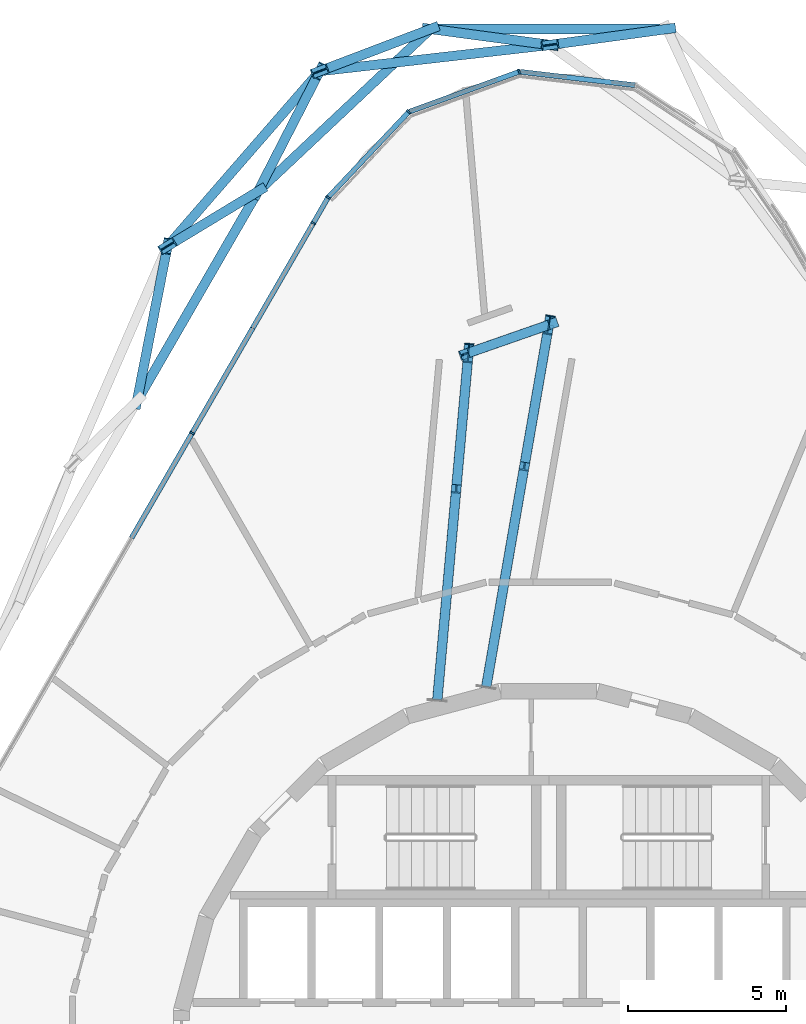
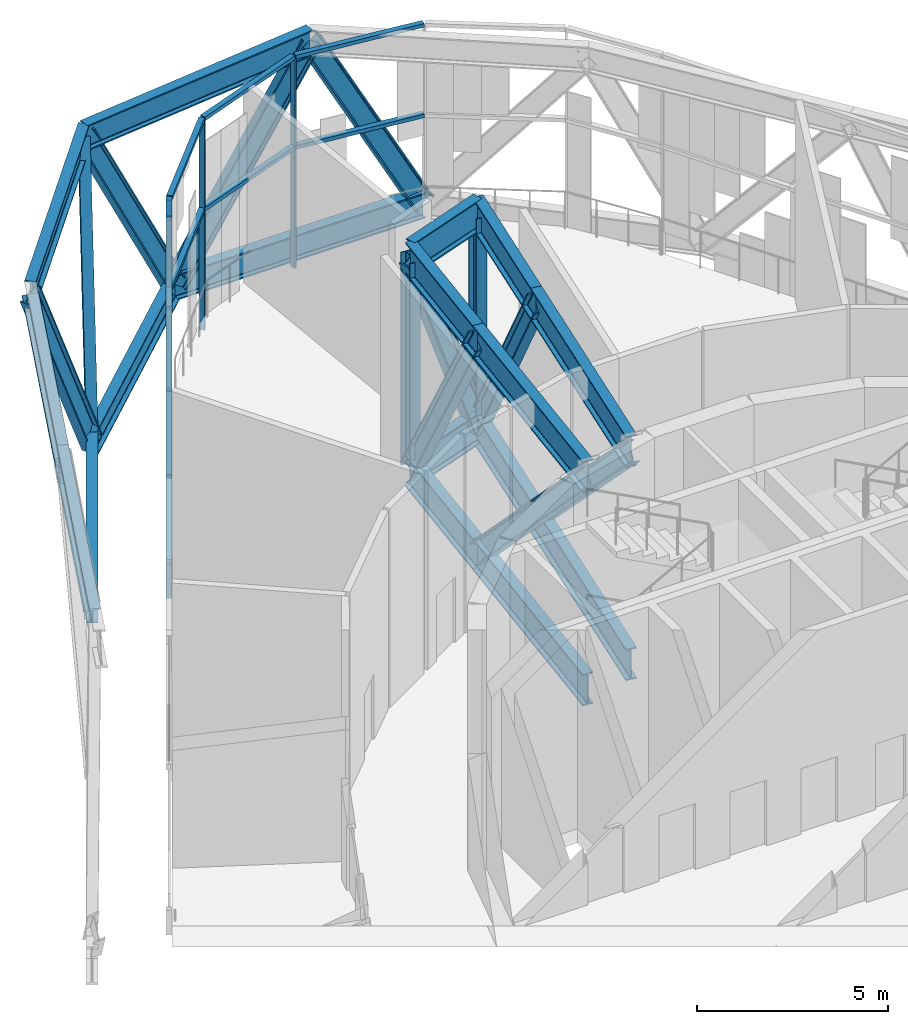
# One storey, part 8 of 29: 44 members, 2 elements without a shape of their own.
"""IFC4 building model written with IfcOpenShell, lengths in metres."""

from ifc_helpers import new_model, si_unit, direction, frame, origin, origin_2d, place, context, subcontext, project, spatial, rectangle, i_section, extrude, material, layer, layer_set, material_profile, profile_set, type_object, element, aggregate, save


model = new_model("IFC4")

# Units and contexts
model_context = context("Model", 3, precision=1e-05, world=origin(), true_north=direction((0.0, 1.0)))
body_context = subcontext(model_context, "Body", "Model", "MODEL_VIEW")
ifc_project = project(units=[si_unit("LENGTHUNIT", "METRE"), si_unit("AREAUNIT", "SQUARE_METRE"), si_unit("VOLUMEUNIT", "CUBIC_METRE"), si_unit("PLANEANGLEUNIT", "RADIAN"), si_unit("MASSUNIT", "GRAM", prefix="KILO")], contexts=[model_context])

# Site, building, storey
site_placement = place(None, origin())
site = spatial("IfcSite", under=ifc_project, at=site_placement, CompositionType="ELEMENT")
building_placement = place(site_placement, origin())
building = spatial("IfcBuilding", under=site, at=building_placement, Name="Spindle Arch Residences", CompositionType="ELEMENT")
storey_placement = place(building_placement, frame((0.0, 0.0, 69.89990234375)))
storey = spatial("IfcBuildingStorey", under=building, at=storey_placement, Name="L16", CompositionType="ELEMENT", Elevation=69.89990234375)

# Members
ifc_material_1 = material(Name="Steel S460ML, intumescent coating R 240", Category="steel")
ifc_material_profile_1 = material_profile(ifc_material_1, i_section(OverallWidth=0.302978515625, OverallDepth=0.81396484375, WebThickness=0.02099609375, FlangeThickness=0.0400390625, FilletRadius=0.030029296875, at=origin_2d()), Name="HEM 800")
ifc_profile_set_1 = profile_set([ifc_material_profile_1], Name="Steel S460ML, intumescent coating R 240")
member_type_1 = type_object("IfcMemberType", Name="Belt truss chord HEM 800", PredefinedType="CHORD", material=ifc_profile_set_1)
member_1_placement = place(storey_placement, frame((3.748291015625, 32.638671875, -0.85693359375), z_axis=(-1.0, 0.0, 0.0), x_axis=(0.0, -1.0, 0.0)))
element("IfcMember", 1, at=member_1_placement, inside=storey, type_object=member_type_1, Name="Belt truss bottom chord L16.12", PredefinedType="CHORD", context=body_context, shape_type="SweptSolid", body=[
    extrude(i_section(OverallWidth=0.302978515625, OverallDepth=0.81396484375, WebThickness=0.02099609375, FlangeThickness=0.0400390625, FilletRadius=0.030029296875, at=origin_2d()), origin(), (0.0, 0.0, 1.0), 7.49658203125),
])
member_2_placement = place(storey_placement, frame((-3.748291015625, 32.638671875, -0.85693359375), z_axis=(-0.728378434968, -0.68517505462, 0.0), x_axis=(0.68517505462, -0.728378434968, 0.0)))
element("IfcMember", 2, at=member_2_placement, inside=storey, type_object=member_type_1, Name="Belt truss bottom chord L16.13", PredefinedType="CHORD", context=body_context, shape_type="SweptSolid", body=[
    extrude(i_section(OverallWidth=0.302978515625, OverallDepth=0.81396484375, WebThickness=0.02099609375, FlangeThickness=0.0400390625, FilletRadius=0.030029296875, at=origin_2d()), origin(), (0.0, 0.0, 1.0), 7.510009765625),
])
member_3_placement = place(storey_placement, frame((-9.218505859375, 27.492919921875, -0.85693359375), z_axis=(-0.500005879718, -0.866022009101, 0.0), x_axis=(0.866022009101, -0.500005879718, 0.0)))
element("IfcMember", 3, at=member_3_placement, inside=storey, type_object=member_type_1, Name="Belt truss bottom chord L16.14", PredefinedType="CHORD", context=body_context, shape_type="SweptSolid", body=[
    extrude(i_section(OverallWidth=0.302978515625, OverallDepth=0.81396484375, WebThickness=0.02099609375, FlangeThickness=0.0400390625, FilletRadius=0.030029296875, at=origin_2d()), origin(), (0.0, 0.0, 1.0), 7.68017578125),
])
member_4_placement = place(storey_placement, frame((0.035888671875, 32.134033203125, 5.943115234375), z_axis=(-0.99357352568, -0.113188555371, 0.0), x_axis=(0.113188555371, -0.99357352568, 0.0)))
element("IfcMember", 4, at=member_4_placement, inside=storey, type_object=member_type_1, Name="Belt truss top chord L16.12", PredefinedType="CHORD", context=body_context, shape_type="SweptSolid", body=[
    extrude(i_section(OverallWidth=0.302978515625, OverallDepth=0.81396484375, WebThickness=0.02099609375, FlangeThickness=0.0400390625, FilletRadius=0.030029296875, at=origin_2d()), origin(), (0.0, 0.0, 1.0), 7.346435546875),
])
member_5_placement = place(storey_placement, frame((-7.263427734375, 31.302490234375, 5.943115234375), z_axis=(-0.65640799179, -0.754406089791, 0.0), x_axis=(0.754406089791, -0.65640799179, 0.0)))
element("IfcMember", 5, at=member_5_placement, inside=storey, type_object=member_type_1, Name="Belt truss top chord L16.13", PredefinedType="CHORD", context=body_context, shape_type="SweptSolid", body=[
    extrude(i_section(OverallWidth=0.302978515625, OverallDepth=0.81396484375, WebThickness=0.02099609375, FlangeThickness=0.0400390625, FilletRadius=0.030029296875, at=origin_2d()), origin(), (0.0, 0.0, 1.0), 7.354248046875),
])
ifc_material_2 = material(Name="Steel S460ML, intumescent coating R 240", Category="steel")
ifc_material_profile_2 = material_profile(ifc_material_2, i_section(OverallWidth=0.304931640625, OverallDepth=0.6201171875, WebThickness=0.02099609375, FlangeThickness=0.0400390625, FilletRadius=0.027099609375, at=origin_2d()), Name="HEM 600")
ifc_profile_set_2 = profile_set([ifc_material_profile_2], Name="Steel S460ML, intumescent coating R 240")
member_type_2 = type_object("IfcMemberType", Name="Belt truss diagonal HEM 600", PredefinedType="BRACE", material=ifc_profile_set_2)
member_6_placement = place(storey_placement, frame((3.748291015625, 32.638671875, -0.85693359375), z_axis=(-0.478165571778, -0.06499856878, 0.87586121733), x_axis=(0.134694449747, -0.990887180867, 0.0)))
element("IfcMember", 6, at=member_6_placement, inside=storey, type_object=member_type_2, Name="Belt truss diagonal L16.12.12", PredefinedType="BRACE", context=body_context, shape_type="SweptSolid", body=[
    extrude(i_section(OverallWidth=0.304931640625, OverallDepth=0.6201171875, WebThickness=0.02099609375, FlangeThickness=0.0400390625, FilletRadius=0.027099609375, at=origin_2d()), origin(), (0.0, 0.0, 1.0), 7.763916015625),
])
member_7_placement = place(storey_placement, frame((-3.748291015625, 32.638671875, -0.85693359375), z_axis=(0.485249593314, -0.06471038125, 0.871977865973), x_axis=(0.132184664387, 0.991225107885, 0.0)))
element("IfcMember", 7, at=member_7_placement, inside=storey, type_object=member_type_2, Name="Belt truss diagonal L16.12.13", PredefinedType="BRACE", context=body_context, shape_type="SweptSolid", body=[
    extrude(i_section(OverallWidth=0.304931640625, OverallDepth=0.6201171875, WebThickness=0.02099609375, FlangeThickness=0.0400390625, FilletRadius=0.027099609375, at=origin_2d()), origin(), (0.0, 0.0, 1.0), 7.79833984375),
])
member_8_placement = place(storey_placement, frame((-3.748291015625, 32.638671875, -0.85693359375), z_axis=(-0.452363589454, -0.171953460556, 0.875099531676), x_axis=(0.355317603545, -0.934745634176, 0.0)))
element("IfcMember", 8, at=member_8_placement, inside=storey, type_object=member_type_2, Name="Belt truss diagonal L16.13.13", PredefinedType="BRACE", context=body_context, shape_type="SweptSolid", body=[
    extrude(i_section(OverallWidth=0.304931640625, OverallDepth=0.6201171875, WebThickness=0.02099609375, FlangeThickness=0.0400390625, FilletRadius=0.027099609375, at=origin_2d()), origin(), (0.0, 0.0, 1.0), 7.7705078125),
])
member_9_placement = place(storey_placement, frame((-9.218505859375, 27.492919921875, -0.85693359375), z_axis=(0.243292740254, 0.474068421445, 0.846207878909), x_axis=(-0.889679705033, 0.456585175462, 0.0)))
element("IfcMember", 9, at=member_9_placement, inside=storey, type_object=member_type_2, Name="Belt truss diagonal L16.13.14", PredefinedType="BRACE", context=body_context, shape_type="SweptSolid", body=[
    extrude(i_section(OverallWidth=0.304931640625, OverallDepth=0.6201171875, WebThickness=0.02099609375, FlangeThickness=0.0400390625, FilletRadius=0.027099609375, at=origin_2d()), origin(), (0.0, 0.0, 1.0), 8.035888671875),
])
member_10_placement = place(storey_placement, frame((-9.218505859375, 27.492919921875, -0.85693359375), z_axis=(-0.378745730483, -0.229243378391, 0.896659994148), x_axis=(0.517806880902, -0.855497535993, 0.0)))
element("IfcMember", 10, at=member_10_placement, inside=storey, type_object=member_type_2, Name="Belt truss diagonal L16.14.14", PredefinedType="BRACE", context=body_context, shape_type="SweptSolid", body=[
    extrude(i_section(OverallWidth=0.304931640625, OverallDepth=0.6201171875, WebThickness=0.02099609375, FlangeThickness=0.0400390625, FilletRadius=0.027099609375, at=origin_2d()), origin(), (0.0, 0.0, 1.0), 7.583740234375),
])
member_11_placement = place(storey_placement, frame((-13.05859375, 20.841796875, -0.85693359375), z_axis=(0.114602962656, 0.581745916894, 0.805256387201), x_axis=(-0.981142949514, 0.193283503224, 0.0)))
element("IfcMember", 11, at=member_11_placement, inside=storey, type_object=member_type_2, Name="Belt truss diagonal L16.14.15", PredefinedType="BRACE", context=body_context, shape_type="SweptSolid", body=[
    extrude(i_section(OverallWidth=0.304931640625, OverallDepth=0.6201171875, WebThickness=0.02099609375, FlangeThickness=0.0400390625, FilletRadius=0.027099609375, at=origin_2d()), origin(), (0.0, 0.0, 1.0), 8.444580078125),
])

# Curtain wall, members
ifc_material_3 = material(Name="Aluminium bronze unitised frame with tinted glass", Category="aluminium")
ifc_layer = layer(ifc_material_3, 0.159912109375)
ifc_layer_set = layer_set([ifc_layer], Name="CW-E double-height winter garden wall")
curtain_wall_type = type_object("IfcCurtainWallType", Name="CW-E double-height winter garden wall", PredefinedType="NOTDEFINED", material=ifc_layer_set)
curtain_wall_1_placement = place(storey_placement, origin())
curtain_wall_1 = element("IfcCurtainWall", 12, at=curtain_wall_1_placement, inside=storey, type_object=curtain_wall_type, Name="CW-E L16 run 3", PredefinedType="NOTDEFINED")
ifc_material_4 = material(Name="Aluminium bronze anodised mullion", Category="aluminium")
ifc_material_profile_3 = material_profile(ifc_material_4, rectangle(XDim=0.159912109375, YDim=0.06005859375, at=origin_2d()), Name="MU 60x160")
ifc_profile_set_3 = profile_set([ifc_material_profile_3], Name="Aluminium bronze anodised mullion")
member_type_3 = type_object("IfcMemberType", Name="Bronze mullion 60x160", PredefinedType="MULLION", material=ifc_profile_set_3)
member_12_placement = place(storey_placement, frame((-0.93798828125, 31.28515625, -0.449951171875), z_axis=(0.0, 0.0, 1.0), x_axis=(0.342020141538, -0.939692621437, 0.0)))
member_12 = element("IfcMember", 13, at=member_12_placement, type_object=member_type_3, Name="CW-E mullion 03", PredefinedType="MULLION", context=body_context, shape_type="SweptSolid", body=[
    extrude(rectangle(XDim=0.159912109375, YDim=0.06005859375, at=origin_2d()), origin(), (0.0, 0.0, 1.0), 6.679931640625),
])
member_13_placement = place(storey_placement, frame((-4.43994140625, 30.010498046875, -0.449951171875), z_axis=(0.0, 0.0, 1.0), x_axis=(0.727373640284, -0.686241639236, 0.0)))
member_13 = element("IfcMember", 14, at=member_13_placement, type_object=member_type_3, Name="CW-E mullion 04", PredefinedType="MULLION", context=body_context, shape_type="SweptSolid", body=[
    extrude(rectangle(XDim=0.159912109375, YDim=0.06005859375, at=origin_2d()), origin(), (0.0, 0.0, 1.0), 6.679931640625),
])
member_14_placement = place(storey_placement, frame((-6.99755859375, 27.2998046875, -0.449951171875), z_axis=(0.0, 0.0, 1.0), x_axis=(0.866025403784, -0.5, 0.0)))
member_14 = element("IfcMember", 15, at=member_14_placement, type_object=member_type_3, Name="CW-E mullion 05", PredefinedType="MULLION", context=body_context, shape_type="SweptSolid", body=[
    extrude(rectangle(XDim=0.159912109375, YDim=0.06005859375, at=origin_2d()), origin(), (0.0, 0.0, 1.0), 6.679931640625),
])

curtain_wall_2_placement = place(storey_placement, origin())
curtain_wall_2 = element("IfcCurtainWall", 16, at=curtain_wall_2_placement, inside=storey, type_object=curtain_wall_type, Name="CW-E L16 run 4", PredefinedType="NOTDEFINED")
member_15_placement = place(storey_placement, frame((-7.46923828125, 26.48291015625, -0.449951171875), z_axis=(0.0, 0.0, 1.0), x_axis=(0.866025403784, -0.5, 0.0)))
member_15 = element("IfcMember", 17, at=member_15_placement, type_object=member_type_3, Name="CW-E mullion 13", PredefinedType="MULLION", context=body_context, shape_type="SweptSolid", body=[
    extrude(rectangle(XDim=0.159912109375, YDim=0.06005859375, at=origin_2d()), origin(), (0.0, 0.0, 1.0), 6.679931640625),
])
member_16_placement = place(storey_placement, frame((-11.309326171875, 19.83154296875, -0.449951171875), z_axis=(0.0, 0.0, 1.0), x_axis=(0.866025403784, -0.5, 0.0)))
member_16 = element("IfcMember", 18, at=member_16_placement, type_object=member_type_3, Name="CW-E mullion 14", PredefinedType="MULLION", context=body_context, shape_type="SweptSolid", body=[
    extrude(rectangle(XDim=0.159912109375, YDim=0.06005859375, at=origin_2d()), origin(), (0.0, 0.0, 1.0), 6.679931640625),
])

# Member
ifc_material_5 = material(Name="Aluminium bronze anodised transom", Category="aluminium")
ifc_material_profile_4 = material_profile(ifc_material_5, rectangle(XDim=0.159912109375, YDim=0.1201171875, at=origin_2d()), Name="TR 120x160")
ifc_profile_set_4 = profile_set([ifc_material_profile_4], Name="Aluminium bronze anodised transom")
member_type_4 = type_object("IfcMemberType", Name="Bronze transom 120x160", PredefinedType="USERDEFINED", material=ifc_profile_set_4)
member_17_placement = place(storey_placement, frame((2.733642578125, 30.85595703125, 6.2900390625), z_axis=(-0.993234881174, 0.116122654204, 0.0), x_axis=(-0.116122654204, -0.993234881174, 0.0)))
member_17 = element("IfcMember", 19, at=member_17_placement, type_object=member_type_4, Name="CW-E transom 02", ObjectType="TRANSOM", PredefinedType="USERDEFINED", context=body_context, shape_type="SweptSolid", body=[
    extrude(rectangle(XDim=0.159912109375, YDim=0.1201171875, at=origin_2d()), origin(), (0.0, 0.0, 1.0), 3.666748046875),
])

member_18_placement = place(storey_placement, frame((2.733642578125, 30.85595703125, 3.400146484375), z_axis=(-0.993234881174, 0.116122654204, 0.0), x_axis=(-0.116122654204, -0.993234881174, 0.0)))
member_18 = element("IfcMember", 20, at=member_18_placement, type_object=member_type_4, Name="CW-E transom 02m", ObjectType="TRANSOM", PredefinedType="USERDEFINED", context=body_context, shape_type="SweptSolid", body=[
    extrude(rectangle(XDim=0.159912109375, YDim=0.1201171875, at=origin_2d()), origin(), (0.0, 0.0, 1.0), 3.666748046875),
])

member_19_placement = place(storey_placement, frame((-0.96630859375, 31.27490234375, 6.2900390625), z_axis=(-0.939686455819, -0.342037080957, 0.0), x_axis=(0.342037080957, -0.939686455819, 0.0)))
member_19 = element("IfcMember", 21, at=member_19_placement, type_object=member_type_4, Name="CW-E transom 03", ObjectType="TRANSOM", PredefinedType="USERDEFINED", context=body_context, shape_type="SweptSolid", body=[
    extrude(rectangle(XDim=0.159912109375, YDim=0.1201171875, at=origin_2d()), origin(), (0.0, 0.0, 1.0), 3.666748046875),
])

member_20_placement = place(storey_placement, frame((-0.96630859375, 31.27490234375, 3.400146484375), z_axis=(-0.939686455819, -0.342037080957, 0.0), x_axis=(0.342037080957, -0.939686455819, 0.0)))
member_20 = element("IfcMember", 22, at=member_20_placement, type_object=member_type_4, Name="CW-E transom 03m", ObjectType="TRANSOM", PredefinedType="USERDEFINED", context=body_context, shape_type="SweptSolid", body=[
    extrude(rectangle(XDim=0.159912109375, YDim=0.1201171875, at=origin_2d()), origin(), (0.0, 0.0, 1.0), 3.666748046875),
])

member_21_placement = place(storey_placement, frame((-4.460693359375, 29.98876953125, 6.2900390625), z_axis=(-0.686199156324, -0.727413718498, 0.0), x_axis=(0.727413718498, -0.686199156324, 0.0)))
member_21 = element("IfcMember", 23, at=member_21_placement, type_object=member_type_4, Name="CW-E transom 04", ObjectType="TRANSOM", PredefinedType="USERDEFINED", context=body_context, shape_type="SweptSolid", body=[
    extrude(rectangle(XDim=0.159912109375, YDim=0.1201171875, at=origin_2d()), origin(), (0.0, 0.0, 1.0), 3.666748046875),
])

member_22_placement = place(storey_placement, frame((-4.460693359375, 29.98876953125, 3.400146484375), z_axis=(-0.686199156324, -0.727413718498, 0.0), x_axis=(0.727413718498, -0.686199156324, 0.0)))
member_22 = element("IfcMember", 24, at=member_22_placement, type_object=member_type_4, Name="CW-E transom 04m", ObjectType="TRANSOM", PredefinedType="USERDEFINED", context=body_context, shape_type="SweptSolid", body=[
    extrude(rectangle(XDim=0.159912109375, YDim=0.1201171875, at=origin_2d()), origin(), (0.0, 0.0, 1.0), 3.666748046875),
])

member_23_placement = place(storey_placement, frame((-7.012451171875, 27.27392578125, 6.2900390625), z_axis=(-0.499913830031, -0.866075148324, 0.0), x_axis=(0.866075148324, -0.499913830031, 0.0)))
member_23 = element("IfcMember", 25, at=member_23_placement, type_object=member_type_4, Name="CW-E transom 05", ObjectType="TRANSOM", PredefinedType="USERDEFINED", context=body_context, shape_type="SweptSolid", body=[
    extrude(rectangle(XDim=0.159912109375, YDim=0.1201171875, at=origin_2d()), origin(), (0.0, 0.0, 1.0), 0.883544921875),
])

member_24_placement = place(storey_placement, frame((-7.012451171875, 27.27392578125, 3.400146484375), z_axis=(-0.499913830031, -0.866075148324, 0.0), x_axis=(0.866075148324, -0.499913830031, 0.0)))
member_24 = element("IfcMember", 26, at=member_24_placement, type_object=member_type_4, Name="CW-E transom 05m", ObjectType="TRANSOM", PredefinedType="USERDEFINED", context=body_context, shape_type="SweptSolid", body=[
    extrude(rectangle(XDim=0.159912109375, YDim=0.1201171875, at=origin_2d()), origin(), (0.0, 0.0, 1.0), 0.883544921875),
])

aggregate(curtain_wall_1, [member_17, member_18, member_12, member_19, member_20, member_13, member_21, member_22, member_14, member_23, member_24])

member_25_placement = place(storey_placement, frame((-7.484130859375, 26.456787109375, 3.400146484375), z_axis=(-0.500005339912, -0.866022320763, 0.0), x_axis=(0.866022320763, -0.500005339912, 0.0)))
member_25 = element("IfcMember", 27, at=member_25_placement, type_object=member_type_4, Name="CW-E transom 13Am", ObjectType="TRANSOM", PredefinedType="USERDEFINED", context=body_context, shape_type="SweptSolid", body=[
    extrude(rectangle(XDim=0.159912109375, YDim=0.1201171875, at=origin_2d()), origin(), (0.0, 0.0, 1.0), 3.81005859375),
])

member_26_placement = place(storey_placement, frame((-9.38916015625, 23.1572265625, 3.400146484375), z_axis=(-0.500005339912, -0.866022320763, 0.0), x_axis=(0.866022320763, -0.500005339912, 0.0)))
member_26 = element("IfcMember", 28, at=member_26_placement, type_object=member_type_4, Name="CW-E transom 13Bm", ObjectType="TRANSOM", PredefinedType="USERDEFINED", context=body_context, shape_type="SweptSolid", body=[
    extrude(rectangle(XDim=0.159912109375, YDim=0.1201171875, at=origin_2d()), origin(), (0.0, 0.0, 1.0), 3.81005859375),
])

member_27_placement = place(storey_placement, frame((-11.32421875, 19.8056640625, 3.400146484375), z_axis=(-0.500005339912, -0.866022320763, 0.0), x_axis=(0.866022320763, -0.500005339912, 0.0)))
member_27 = element("IfcMember", 29, at=member_27_placement, type_object=member_type_4, Name="CW-E transom 14Am", ObjectType="TRANSOM", PredefinedType="USERDEFINED", context=body_context, shape_type="SweptSolid", body=[
    extrude(rectangle(XDim=0.159912109375, YDim=0.1201171875, at=origin_2d()), origin(), (0.0, 0.0, 1.0), 3.81005859375),
])

aggregate(curtain_wall_2, [member_15, member_25, member_26, member_16, member_27])

# Members
ifc_material_6 = material(Name="Steel S460ML, intumescent coating R 240", Category="steel")
ifc_material_profile_5 = material_profile(ifc_material_6, i_section(OverallWidth=0.302001953125, OverallDepth=1.008056640625, WebThickness=0.02099609375, FlangeThickness=0.0400390625, FilletRadius=0.030029296875, at=origin_2d()), Name="HEM 1000")
ifc_profile_set_5 = profile_set([ifc_material_profile_5], Name="Steel S460ML, intumescent coating R 240")
member_type_5 = type_object("IfcMemberType", Name="Transfer truss chord HEM 1000", PredefinedType="CHORD", material=ifc_profile_set_5)
for number, where, z_axis, x_axis, name in (
    (30, (-1.985107421875, 11.78515625, -0.953857421875), (0.170460617482, 0.985364489865, 0.0), (-0.985364489865, 0.170460617482, 0.0), "Transfer truss chord L16"),
    (31, (-1.985107421875, 11.78515625, 5.84619140625), (0.170460617482, 0.985364489865, 0.0), (-0.985364489865, 0.170460617482, 0.0), "Transfer truss chord L16"),
):
    element("IfcMember", number, at=place(storey_placement, frame(where, z_axis=z_axis, x_axis=x_axis)), inside=storey, type_object=member_type_5, Name=name, PredefinedType="CHORD", context=body_context, shape_type="SweptSolid", body=[
        extrude(i_section(OverallWidth=0.302001953125, OverallDepth=1.008056640625, WebThickness=0.02099609375, FlangeThickness=0.0400390625, FilletRadius=0.030029296875, at=origin_2d()), origin(), (0.0, 0.0, 1.0), 7.219970703125),
    ])
for number, where, z_axis, x_axis, name in (
    (32, (-0.75439453125, 18.8994140625, -0.953857421875), (0.170479625554, 0.985361201424, 0.0), (-0.985361201424, 0.170479625554, 0.0), "Transfer truss chord L16"),
    (33, (-0.75439453125, 18.8994140625, 5.84619140625), (0.170479625554, 0.985361201424, 0.0), (-0.985361201424, 0.170479625554, 0.0), "Transfer truss chord L16"),
):
    element("IfcMember", number, at=place(storey_placement, frame(where, z_axis=z_axis, x_axis=x_axis)), inside=storey, type_object=member_type_5, Name=name, PredefinedType="CHORD", context=body_context, shape_type="SweptSolid", body=[
        extrude(i_section(OverallWidth=0.302001953125, OverallDepth=1.008056640625, WebThickness=0.02099609375, FlangeThickness=0.0400390625, FilletRadius=0.030029296875, at=origin_2d()), origin(), (0.0, 0.0, 1.0), 4.425048828125),
    ])
for number, where, z_axis, x_axis, name in (
    (34, (0.0, 23.259765625, -0.953857421875), (-0.944168127021, -0.329464031297, 0.0), (0.329464031297, -0.944168127021, 0.0), "Transfer truss chord L16"),
    (35, (0.0, 23.259765625, 5.84619140625), (-0.944168127021, -0.329464031297, 0.0), (0.329464031297, -0.944168127021, 0.0), "Transfer truss chord L16"),
):
    element("IfcMember", number, at=place(storey_placement, frame(where, z_axis=z_axis, x_axis=x_axis)), inside=storey, type_object=member_type_5, Name=name, PredefinedType="CHORD", context=body_context, shape_type="SweptSolid", body=[
        extrude(i_section(OverallWidth=0.302001953125, OverallDepth=1.008056640625, WebThickness=0.02099609375, FlangeThickness=0.0400390625, FilletRadius=0.030029296875, at=origin_2d()), origin(), (0.0, 0.0, 1.0), 2.699462890625),
    ])
for number, where, z_axis, x_axis, name in (
    (36, (-3.5361328125, 11.36962890625, -0.953857421875), (0.089381644072, 0.995997450651, 0.0), (-0.995997450651, 0.089381644072, 0.0), "Transfer truss chord L16"),
    (37, (-3.5361328125, 11.36962890625, 5.84619140625), (0.089381644072, 0.995997450651, 0.0), (-0.995997450651, 0.089381644072, 0.0), "Transfer truss chord L16"),
):
    element("IfcMember", number, at=place(storey_placement, frame(where, z_axis=z_axis, x_axis=x_axis)), inside=storey, type_object=member_type_5, Name=name, PredefinedType="CHORD", context=body_context, shape_type="SweptSolid", body=[
        extrude(i_section(OverallWidth=0.302001953125, OverallDepth=1.008056640625, WebThickness=0.02099609375, FlangeThickness=0.0400390625, FilletRadius=0.030029296875, at=origin_2d()), origin(), (0.0, 0.0, 1.0), 6.84765625),
    ])
for number, where, z_axis, x_axis, name in (
    (38, (-2.924072265625, 18.18994140625, -0.953857421875), (0.089402859025, 0.995995546575, 0.0), (-0.995995546575, 0.089402859025, 0.0), "Transfer truss chord L16"),
    (39, (-2.924072265625, 18.18994140625, 5.84619140625), (0.089402859025, 0.995995546575, 0.0), (-0.995995546575, 0.089402859025, 0.0), "Transfer truss chord L16"),
):
    element("IfcMember", number, at=place(storey_placement, frame(where, z_axis=z_axis, x_axis=x_axis)), inside=storey, type_object=member_type_5, Name=name, PredefinedType="CHORD", context=body_context, shape_type="SweptSolid", body=[
        extrude(i_section(OverallWidth=0.302001953125, OverallDepth=1.008056640625, WebThickness=0.02099609375, FlangeThickness=0.0400390625, FilletRadius=0.030029296875, at=origin_2d()), origin(), (0.0, 0.0, 1.0), 4.197265625),
    ])
ifc_material_7 = material(Name="Steel S460ML, intumescent coating R 240", Category="steel")
ifc_material_profile_6 = material_profile(ifc_material_7, i_section(OverallWidth=0.304931640625, OverallDepth=0.6201171875, WebThickness=0.02099609375, FlangeThickness=0.0400390625, FilletRadius=0.027099609375, at=origin_2d()), Name="HEM 600")
ifc_profile_set_6 = profile_set([ifc_material_profile_6], Name="Steel S460ML, intumescent coating R 240")
member_type_6 = type_object("IfcMemberType", Name="Transfer truss diagonal HEM 600", PredefinedType="BRACE", material=ifc_profile_set_6)
member_28_placement = place(storey_placement, frame((-0.75439453125, 18.8994140625, -0.953857421875), z_axis=(-0.124088023575, -0.717303115842, 0.685622638489), x_axis=(0.985364489865, -0.170460617482, 0.0)))
element("IfcMember", 40, at=member_28_placement, inside=storey, type_object=member_type_6, Name="Transfer truss diagonal L16", PredefinedType="BRACE", context=body_context, shape_type="SweptSolid", body=[
    extrude(i_section(OverallWidth=0.304931640625, OverallDepth=0.6201171875, WebThickness=0.02099609375, FlangeThickness=0.0400390625, FilletRadius=0.027099609375, at=origin_2d()), origin(), (0.0, 0.0, 1.0), 9.91796875),
])
member_29_placement = place(storey_placement, frame((0.0, 23.259765625, -0.953857421875), z_axis=(-0.092984709749, -0.537445603921, 0.838156349721), x_axis=(0.985361201424, -0.170479625554, 0.0)))
element("IfcMember", 41, at=member_29_placement, inside=storey, type_object=member_type_6, Name="Transfer truss diagonal L16", PredefinedType="BRACE", context=body_context, shape_type="SweptSolid", body=[
    extrude(i_section(OverallWidth=0.304931640625, OverallDepth=0.6201171875, WebThickness=0.02099609375, FlangeThickness=0.0400390625, FilletRadius=0.027099609375, at=origin_2d()), origin(), (0.0, 0.0, 1.0), 8.113037109375),
])
member_30_placement = place(storey_placement, frame((0.0, 23.259765625, -0.953857421875), z_axis=(-0.348376710255, -0.121564785006, 0.929438363098), x_axis=(0.329464031297, -0.944168127021, 0.0)))
element("IfcMember", 42, at=member_30_placement, inside=storey, type_object=member_type_6, Name="Transfer truss diagonal L16", PredefinedType="BRACE", context=body_context, shape_type="SweptSolid", body=[
    extrude(i_section(OverallWidth=0.304931640625, OverallDepth=0.6201171875, WebThickness=0.02099609375, FlangeThickness=0.0400390625, FilletRadius=0.027099609375, at=origin_2d()), origin(), (0.0, 0.0, 1.0), 7.31640625),
])
member_31_placement = place(storey_placement, frame((-2.924072265625, 18.18994140625, -0.953857421875), z_axis=(-0.063422747221, -0.706732296122, 0.704632540231), x_axis=(0.995997450651, -0.089381644072, 0.0)))
element("IfcMember", 43, at=member_31_placement, inside=storey, type_object=member_type_6, Name="Transfer truss diagonal L16", PredefinedType="BRACE", context=body_context, shape_type="SweptSolid", body=[
    extrude(i_section(OverallWidth=0.304931640625, OverallDepth=0.6201171875, WebThickness=0.02099609375, FlangeThickness=0.0400390625, FilletRadius=0.027099609375, at=origin_2d()), origin(), (0.0, 0.0, 1.0), 9.650390625),
])
member_32_placement = place(storey_placement, frame((-2.548828125, 22.370361328125, -0.953857421875), z_axis=(-0.046957867011, -0.523135690841, 0.850954762425), x_axis=(0.995995546575, -0.089402859025, 0.0)))
element("IfcMember", 44, at=member_32_placement, inside=storey, type_object=member_type_6, Name="Transfer truss diagonal L16", PredefinedType="BRACE", context=body_context, shape_type="SweptSolid", body=[
    extrude(i_section(OverallWidth=0.304931640625, OverallDepth=0.6201171875, WebThickness=0.02099609375, FlangeThickness=0.0400390625, FilletRadius=0.027099609375, at=origin_2d()), origin(), (0.0, 0.0, 1.0), 7.990966796875),
])
ifc_material_8 = material(Name="Steel S460ML, intumescent coating R 240", Category="steel")
ifc_material_profile_7 = material_profile(ifc_material_8, i_section(OverallWidth=0.300048828125, OverallDepth=0.60009765625, WebThickness=0.015380859375, FlangeThickness=0.030029296875, FilletRadius=0.027099609375, at=origin_2d()), Name="HEB 600")
ifc_profile_set_7 = profile_set([ifc_material_profile_7], Name="Steel S460ML, intumescent coating R 240")
member_type_7 = type_object("IfcMemberType", Name="Transfer truss post HEB 600", PredefinedType="POST", material=ifc_profile_set_7)
member_33_placement = place(storey_placement, frame((0.0, 23.259765625, -0.449951171875), z_axis=(0.0, 0.0, 1.0), x_axis=(0.985361865734, -0.170475785838, 0.0)))
element("IfcMember", 45, at=member_33_placement, inside=storey, type_object=member_type_7, Name="Transfer truss post L16", PredefinedType="POST", context=body_context, shape_type="SweptSolid", body=[
    extrude(i_section(OverallWidth=0.300048828125, OverallDepth=0.60009765625, WebThickness=0.015380859375, FlangeThickness=0.030029296875, FilletRadius=0.027099609375, at=origin_2d()), origin(), (0.0, 0.0, 1.0), 6.296142578125),
])
member_34_placement = place(storey_placement, frame((-2.548828125, 22.370361328125, -0.953857421875), z_axis=(0.0, 0.0, 1.0), x_axis=(0.995997021911, -0.089386421478, 0.0)))
element("IfcMember", 46, at=member_34_placement, inside=storey, type_object=member_type_7, Name="Transfer truss post L16", PredefinedType="POST", context=body_context, shape_type="SweptSolid", body=[
    extrude(i_section(OverallWidth=0.300048828125, OverallDepth=0.60009765625, WebThickness=0.015380859375, FlangeThickness=0.030029296875, FilletRadius=0.027099609375, at=origin_2d()), origin(), (0.0, 0.0, 1.0), 6.800048828125),
])

save(model, "model.ifc")
